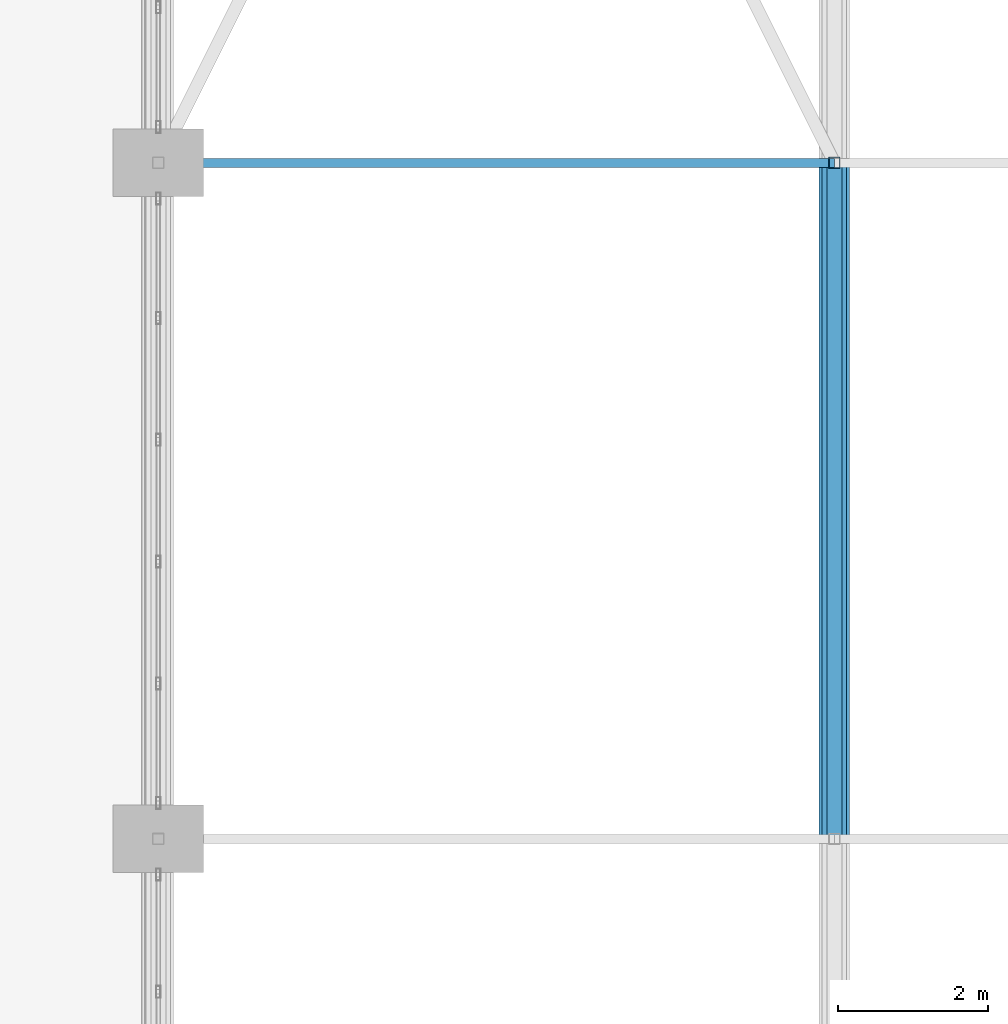
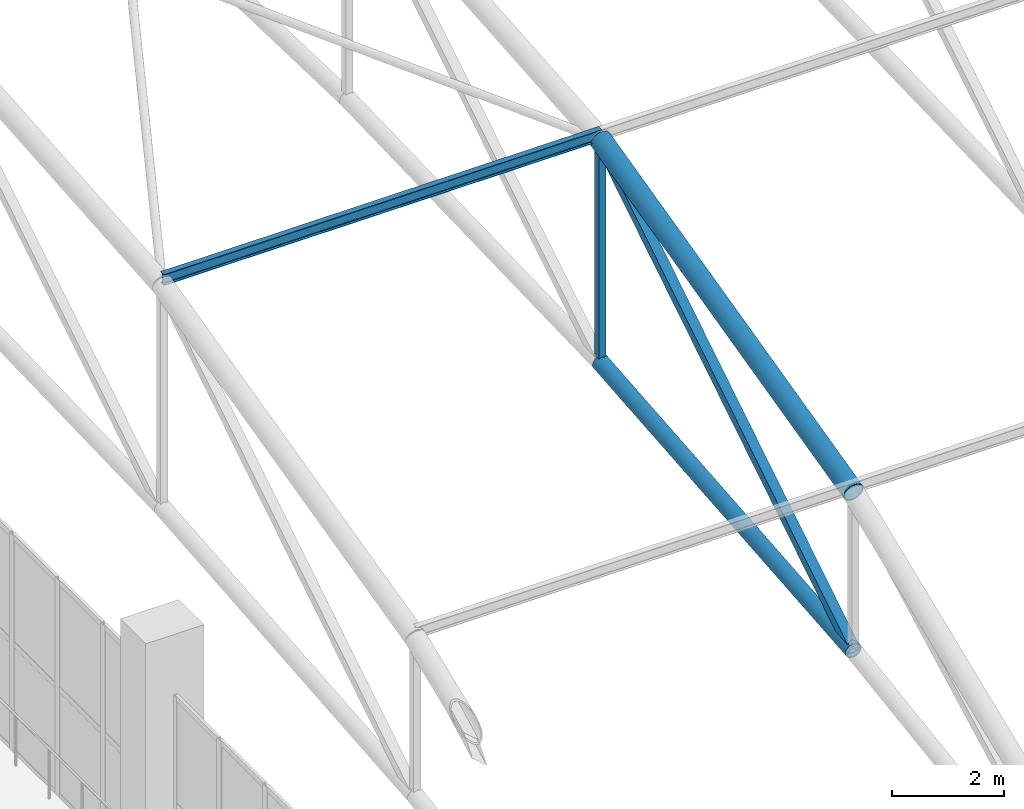
# One storey, part 39 of 223: 5 members.
"""IFC4 building model written with IfcOpenShell, lengths in metres."""

import ifcopenshell
import ifcopenshell.guid

model = None  # the IFC model being written
_history = None  # IfcOwnerHistory: only IFC2X3 demands one
_inside = {}  # id of a spatial element -> (the spatial element, [elements in it])
_under = {}  # id of a project, library or spatial element -> (it, [spatial elements below it])
_declared = {}  # id of a project -> (the project, [libraries it declares])
_typed = {}  # id of a type object -> (the type object, [elements of that type])
_made_of = {}  # id of a material, layer set ... -> (it, [elements and type objects made of it])


def new_model(schema):
    """Start an empty IFC model of exactly this schema.

    Asked for "IFC4X3", IfcOpenShell would pick the latest addendum, in which some entities
    have other attributes; the version numbers below select the first issue.
    IFC2X3 requires an IfcOwnerHistory on every rooted entity: one is made here for all.
    """
    global model, _history
    if schema == "IFC4X3":
        model = ifcopenshell.file(schema_version=(4, 3, 0, 0))
    else:
        model = ifcopenshell.file(schema=schema)
    _inside.clear()
    _under.clear()
    _declared.clear()
    _typed.clear()
    _made_of.clear()
    _history = None
    if model.schema == "IFC2X3":
        org = make("IfcOrganization", Name="unknown")
        user = make(
            "IfcPersonAndOrganization",
            ThePerson=make("IfcPerson", FamilyName="unknown"),
            TheOrganization=org,
        )
        app = make(
            "IfcApplication",
            ApplicationDeveloper=org,
            Version="unknown",
            ApplicationFullName="unknown",
            ApplicationIdentifier="unknown",
        )
        _history = make(
            "IfcOwnerHistory",
            OwningUser=user,
            OwningApplication=app,
            ChangeAction="ADDED",
            CreationDate=0,
        )
    return model


def make(cls, **values):
    """One entity of the class cls with the attributes given. An attribute that is None is left unset."""
    return model.create_entity(
        cls, **{name: value for name, value in values.items() if value is not None}
    )


def rooted(cls, **values):
    """An entity with a GlobalId (a new one), such as an element, a storey or a relation."""
    return make(cls, GlobalId=ifcopenshell.guid.new(), OwnerHistory=_history, **values)


def si_unit(unit_type, name, prefix=None):
    """IfcSIUnit, for example si_unit("LENGTHUNIT", "METRE", prefix="MILLI")."""
    return make("IfcSIUnit", UnitType=unit_type, Prefix=prefix, Name=name)


def assignment(units):
    """IfcUnitAssignment: the units of a project."""
    return None if units is None else make("IfcUnitAssignment", Units=units)


def point(xyz):
    """IfcCartesianPoint."""
    return None if xyz is None else make("IfcCartesianPoint", Coordinates=xyz)


def direction(xyz):
    """IfcDirection."""
    return None if xyz is None else make("IfcDirection", DirectionRatios=xyz)


def frame(location, z_axis=None, x_axis=None):
    """IfcAxis2Placement3D, a coordinate frame: its origin and axes. An axis left out is left unset."""
    return make(
        "IfcAxis2Placement3D",
        Location=point(location),
        Axis=direction(z_axis),
        RefDirection=direction(x_axis),
    )


def frame_2d(location, x_axis=None):
    """IfcAxis2Placement2D, a coordinate frame in the plane: its origin and x axis."""
    return make(
        "IfcAxis2Placement2D", Location=point(location), RefDirection=direction(x_axis)
    )


def origin():
    """The frame at (0, 0, 0) with its axes left unset."""
    return frame((0.0, 0.0, 0.0))


def origin_2d():
    """The frame at (0, 0) in the plane with its x axis left unset."""
    return frame_2d((0.0, 0.0))


def place(relative_to, where):
    """IfcLocalPlacement: puts the frame where relative to a parent placement (None: the world)."""
    return make(
        "IfcLocalPlacement", PlacementRelTo=relative_to, RelativePlacement=where
    )


def context(
    kind, dimensions, precision=None, world=None, true_north=None, identifier=None
):
    """IfcGeometricRepresentationContext, for example the 3D "Model" context."""
    return make(
        "IfcGeometricRepresentationContext",
        ContextIdentifier=identifier,
        ContextType=kind,
        CoordinateSpaceDimension=dimensions,
        Precision=precision,
        WorldCoordinateSystem=world,
        TrueNorth=true_north,
    )


def subcontext(parent, identifier, kind, view, scale=None):
    """IfcGeometricRepresentationSubContext, for example "Body" below "Model"."""
    return make(
        "IfcGeometricRepresentationSubContext",
        ContextIdentifier=identifier,
        ContextType=kind,
        ParentContext=parent,
        TargetScale=scale,
        TargetView=view,
    )


def project(units=None, contexts=None):
    """IfcProject with its units and contexts."""
    return rooted(
        "IfcProject",
        Name="project",
        RepresentationContexts=contexts,
        UnitsInContext=assignment(units),
    )


def spatial(cls, under=None, at=None, **own):
    """A site, building, storey or space (cls), placed at a placement, below another one or the project."""
    s = rooted(cls, ObjectPlacement=at, **own)
    if under is not None:
        _under.setdefault(under.id(), (under, []))[1].append(s)
    return s


def profile(cls, at=None, kind="AREA", **sizes):
    """A parametric profile (cls). Its sizes go by their IFC names, for example OverallWidth=200.0."""
    return make(cls, ProfileType=kind, Position=at, **sizes)


def hollow_rectangle(**sizes):
    """IfcRectangleHollowProfileDef."""
    return profile("IfcRectangleHollowProfileDef", **sizes)


def hollow_circle(**sizes):
    """IfcCircleHollowProfileDef."""
    return profile("IfcCircleHollowProfileDef", **sizes)


def i_section(**sizes):
    """IfcIShapeProfileDef."""
    return profile("IfcIShapeProfileDef", **sizes)


def extrude(swept, where, along, depth):
    """IfcExtrudedAreaSolid: the profile swept, set in the frame where, extruded along a direction by depth."""
    return make(
        "IfcExtrudedAreaSolid",
        SweptArea=swept,
        Position=where,
        ExtrudedDirection=direction(along),
        Depth=depth,
    )


def shape(context_of_items, identifier, shape_type, items):
    """IfcShapeRepresentation: the items that make up one representation, for example the "Body"."""
    return make(
        "IfcShapeRepresentation",
        ContextOfItems=context_of_items,
        RepresentationIdentifier=identifier,
        RepresentationType=shape_type,
        Items=items,
    )


def material(Name=None, Category=None):
    """IfcMaterial."""
    return make("IfcMaterial", Name=Name, Category=Category)


def material_profile(
    of_material, cross_section, Name=None, Category=None, Priority=None
):
    """IfcMaterialProfile: a cross section and its material."""
    return make(
        "IfcMaterialProfile",
        Name=Name,
        Material=of_material,
        Profile=cross_section,
        Priority=Priority,
        Category=Category,
    )


def profile_set(profiles, Name=None, composite=None):
    """IfcMaterialProfileSet."""
    return make(
        "IfcMaterialProfileSet",
        Name=Name,
        MaterialProfiles=profiles,
        CompositeProfile=composite,
    )


def made_of(thing, what):
    """Note that an element or type object is made of a material, layer set ...; save() writes the relation."""
    if what is not None:
        _made_of.setdefault(what.id(), (what, []))[1].append(thing)
    return thing


def type_object(cls, material=None, **own):
    """A type object (cls), such as IfcWallType, which elements share."""
    return made_of(rooted(cls, **own), material)


def element(
    cls,
    number,
    at=None,
    inside=None,
    cuts=None,
    type_object=None,
    material=None,
    context=None,
    identifier="Body",
    shape_type=None,
    held_by="IfcProductDefinitionShape",
    body=None,
    shapes=None,
    **own,
):
    """One element of the class cls, such as IfcWall. Its Tag is "e" and its number.

    at: its placement. inside: the storey or other place that contains it. cuts: it is an
    opening in that element (IfcRelVoidsElement). A single representation is given by context,
    identifier, shape_type and body (its items); several are given by shapes. held_by: the class
    of the entity that holds the representations. save() writes the other relations.
    """
    e = rooted(cls, Tag="e%d" % number, ObjectPlacement=at, **own)
    if body is not None:
        shapes = [shape(context, identifier, shape_type, body)]
    if shapes is not None:
        e.Representation = make(held_by, Representations=shapes)
    if inside is not None:
        _inside.setdefault(inside.id(), (inside, []))[1].append(e)
    if cuts is not None:
        rooted(
            "IfcRelVoidsElement", RelatingBuildingElement=cuts, RelatedOpeningElement=e
        )
    if type_object is not None:
        _typed.setdefault(type_object.id(), (type_object, []))[1].append(e)
    return made_of(e, material)


def aggregate(whole, parts):
    """IfcRelAggregates: a whole, such as a stair, and the parts it consists of."""
    return rooted("IfcRelAggregates", RelatingObject=whole, RelatedObjects=parts)


def save(model, path):
    """Write the relations noted so far, then the file.

    IfcRelAggregates (storeys below a building ...), IfcRelContainedInSpatialStructure (elements
    in a storey), IfcRelDefinesByType, IfcRelAssociatesMaterial and IfcRelDeclares: one each for
    every whole, place, type object, material and project.
    """
    for whole, parts in _under.values():
        aggregate(whole, parts)
    for where, things in _inside.values():
        rooted(
            "IfcRelContainedInSpatialStructure",
            RelatedElements=things,
            RelatingStructure=where,
        )
    for kind, things in _typed.values():
        rooted("IfcRelDefinesByType", RelatedObjects=things, RelatingType=kind)
    for what, things in _made_of.values():
        rooted("IfcRelAssociatesMaterial", RelatedObjects=things, RelatingMaterial=what)
    for by, libraries in _declared.values():
        rooted("IfcRelDeclares", RelatingContext=by, RelatedDefinitions=libraries)
    model.write(path)


model = new_model("IFC4")

# Units and contexts
model_context = context("Model", 3, precision=1e-05, world=origin(), true_north=direction((0.0, 1.0)))
body_context = subcontext(model_context, "Body", "Model", "MODEL_VIEW")
ifc_project = project(units=[si_unit("LENGTHUNIT", "METRE"), si_unit("AREAUNIT", "SQUARE_METRE"), si_unit("VOLUMEUNIT", "CUBIC_METRE"), si_unit("PLANEANGLEUNIT", "RADIAN"), si_unit("MASSUNIT", "GRAM", prefix="KILO")], contexts=[model_context])

# Site, building, storey
site_placement = place(None, origin())
site = spatial("IfcSite", under=ifc_project, at=site_placement, CompositionType="ELEMENT")
building_placement = place(site_placement, origin())
building = spatial("IfcBuilding", under=site, at=building_placement, Name="Dornveld Trade and Exhibition Forum", CompositionType="ELEMENT")
storey_placement = place(building_placement, frame((0.0, 0.0, 6.0)))
storey = spatial("IfcBuildingStorey", under=building, at=storey_placement, Name="L01", CompositionType="ELEMENT", Elevation=6.0)

# Members
ifc_material_1 = material(Name="Steel S355J2", Category="steel")
ifc_material_profile_1 = material_profile(ifc_material_1, hollow_circle(Radius=0.161865234375, WallThickness=0.01611328125, at=origin_2d()), Name="CHS 323.9x16")
ifc_profile_set_1 = profile_set([ifc_material_profile_1], Name="Steel S355J2")
member_type_1 = type_object("IfcMemberType", Name="MEM-ARCH-BC", PredefinedType="CHORD", material=ifc_profile_set_1)
member_1_placement = place(storey_placement, frame((108.0, 117.0, 7.683349609375), z_axis=(0.0, 0.996072164085, 0.088545151956), x_axis=(-1.0, 0.0, 0.0)))
element("IfcMember", 1, at=member_1_placement, inside=storey, type_object=member_type_1, Name="H1 truss 2 tie chord 2", PredefinedType="CHORD", context=body_context, shape_type="SweptSolid", body=[
    extrude(hollow_circle(Radius=0.161865234375, WallThickness=0.01611328125, at=origin_2d()), origin(), (0.0, 0.0, 1.0), 9.035400390625),
])
ifc_material_2 = material(Name="Steel S355J2", Category="steel")
ifc_material_profile_2 = material_profile(ifc_material_2, hollow_rectangle(XDim=0.14990234375, YDim=0.14990234375, WallThickness=0.008056640625, at=origin_2d()), Name="SHS 150x150x8")
ifc_profile_set_2 = profile_set([ifc_material_profile_2], Name="Steel S355J2")
member_type_2 = type_object("IfcMemberType", Name="MEM-ARCH-STR", PredefinedType="STRUT", material=ifc_profile_set_2)
member_2_placement = place(storey_placement, frame((108.0, 126.0, 8.4833984375), z_axis=(0.0, 0.0, 1.0), x_axis=(1.0, 0.0, 0.0)))
element("IfcMember", 2, at=member_2_placement, inside=storey, type_object=member_type_2, Name="H1 truss 2 strut 3", PredefinedType="STRUT", context=body_context, shape_type="SweptSolid", body=[
    extrude(hollow_rectangle(XDim=0.14990234375, YDim=0.14990234375, WallThickness=0.008056640625, at=origin_2d()), origin(), (0.0, 0.0, 1.0), 4.833251953125),
])
ifc_material_3 = material(Name="Steel S355J2", Category="steel")
ifc_material_profile_3 = material_profile(ifc_material_3, hollow_circle(Radius=0.203125, WallThickness=0.02001953125, at=origin_2d()), Name="CHS 406.4x20")
ifc_profile_set_3 = profile_set([ifc_material_profile_3], Name="Steel S355J2")
member_type_3 = type_object("IfcMemberType", Name="MEM-ARCH-TC", PredefinedType="CHORD", material=ifc_profile_set_3)
member_3_placement = place(storey_placement, frame((108.0, 117.0, 11.11669921875), z_axis=(0.0, 0.971400222114, 0.237448117444), x_axis=(-1.0, 0.0, 0.0)))
element("IfcMember", 3, at=member_3_placement, inside=storey, type_object=member_type_3, Name="H1 truss 2 top chord 2", PredefinedType="CHORD", context=body_context, shape_type="SweptSolid", body=[
    extrude(hollow_circle(Radius=0.203125, WallThickness=0.02001953125, at=origin_2d()), origin(), (0.0, 0.0, 1.0), 9.264892578125),
])
ifc_material_4 = material(Name="Steel S355J2", Category="steel")
ifc_material_profile_4 = material_profile(ifc_material_4, hollow_rectangle(XDim=0.199951171875, YDim=0.199951171875, WallThickness=0.010009765625, at=origin_2d()), Name="SHS 200x200x10")
ifc_profile_set_4 = profile_set([ifc_material_profile_4], Name="Steel S355J2")
member_type_4 = type_object("IfcMemberType", Name="MEM-ARCH-WEB", PredefinedType="BRACE", material=ifc_profile_set_4)
member_4_placement = place(storey_placement, frame((108.0, 117.0, 7.683349609375), z_axis=(0.0, 0.847646750348, 0.530561011218), x_axis=(-1.0, 0.0, 0.0)))
element("IfcMember", 4, at=member_4_placement, inside=storey, type_object=member_type_4, Name="H1 truss 2 web 2", PredefinedType="BRACE", context=body_context, shape_type="SweptSolid", body=[
    extrude(hollow_rectangle(XDim=0.199951171875, YDim=0.199951171875, WallThickness=0.010009765625, at=origin_2d()), origin(), (0.0, 0.0, 1.0), 10.61767578125),
])
ifc_material_5 = material(Name="Steel S355J2", Category="steel")
ifc_material_profile_5 = material_profile(ifc_material_5, i_section(OverallWidth=0.1201171875, OverallDepth=0.239990234375, WebThickness=0.006103515625, FlangeThickness=0.009765625, FilletRadius=0.014892578125, at=origin_2d()), Name="IPE 240")
ifc_profile_set_5 = profile_set([ifc_material_profile_5], Name="Steel S355J2")
member_type_5 = type_object("IfcMemberType", Name="MEM-PURLIN-240", PredefinedType="PURLIN", material=ifc_profile_set_5)
member_5_placement = place(storey_placement, frame((99.0, 126.0, 13.44873046875), z_axis=(1.0, 0.0, 0.0), x_axis=(0.0, 1.0, 0.0)))
element("IfcMember", 5, at=member_5_placement, inside=storey, type_object=member_type_5, Name="H1 bay 1 roof purlin 3", PredefinedType="PURLIN", context=body_context, shape_type="SweptSolid", body=[
    extrude(i_section(OverallWidth=0.1201171875, OverallDepth=0.239990234375, WebThickness=0.006103515625, FlangeThickness=0.009765625, FilletRadius=0.014892578125, at=origin_2d()), origin(), (0.0, 0.0, 1.0), 9.0),
])

save(model, "model.ifc")
